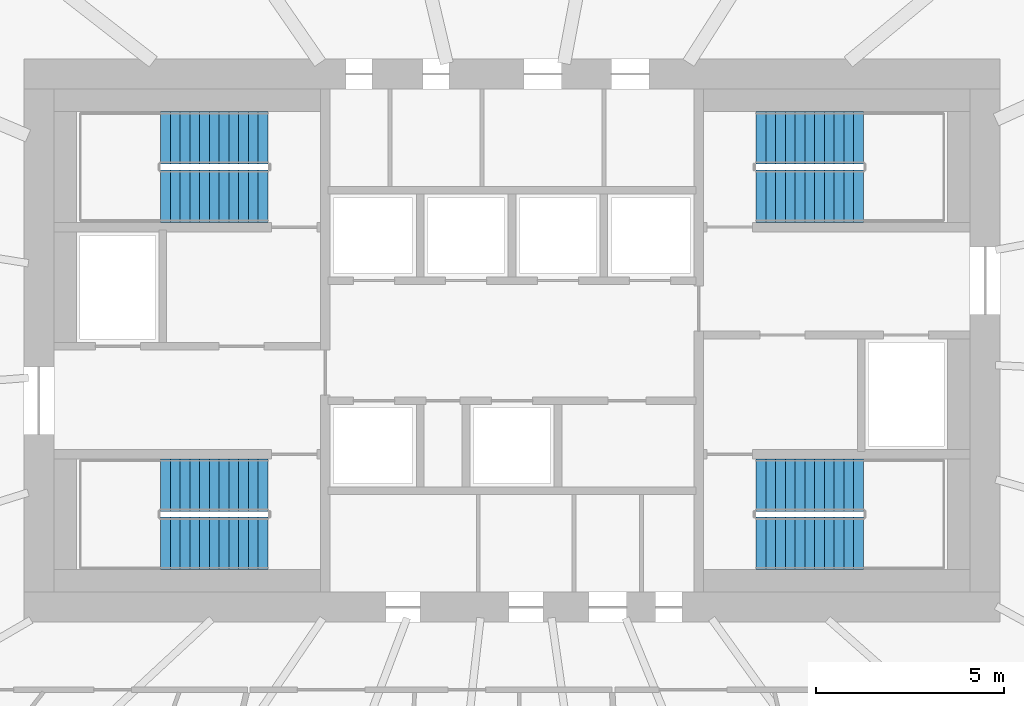
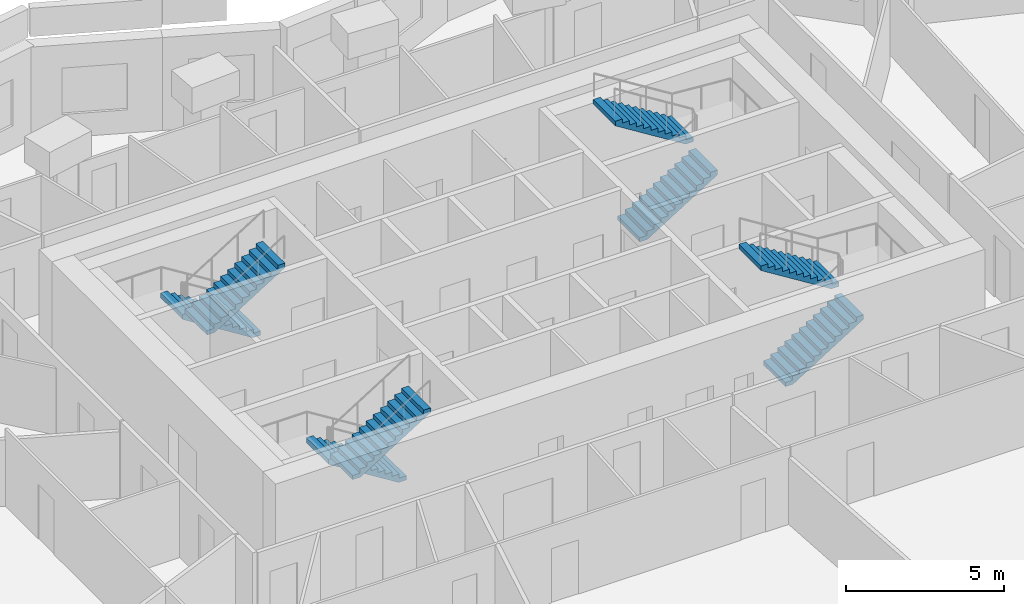
# One storey, part 10 of 11: 8 stair flights, 4 elements without a shape of their own.
"""IFC4 building model written with IfcOpenShell, lengths in metres."""

from ifc_helpers import new_model, si_unit, direction, frame, origin, place, context, subcontext, project, spatial, polyline, outline, extrude, material, type_object, element, aggregate, save


model = new_model("IFC4")

# Units and contexts
model_context = context("Model", 3, precision=1e-05, world=origin(), true_north=direction((0.0, 1.0)))
body_context = subcontext(model_context, "Body", "Model", "MODEL_VIEW")
ifc_project = project(units=[si_unit("LENGTHUNIT", "METRE"), si_unit("AREAUNIT", "SQUARE_METRE"), si_unit("VOLUMEUNIT", "CUBIC_METRE"), si_unit("PLANEANGLEUNIT", "RADIAN"), si_unit("MASSUNIT", "GRAM", prefix="KILO")], contexts=[model_context])

# Site, building, storey
site_placement = place(None, origin())
site = spatial("IfcSite", under=ifc_project, at=site_placement, CompositionType="ELEMENT")
building_placement = place(site_placement, origin())
building = spatial("IfcBuilding", under=site, at=building_placement, Name="Rubra Terraces Tower", CompositionType="ELEMENT")
storey_placement = place(building_placement, frame((0.0, 0.0, 260.39990234375)))
storey = spatial("IfcBuildingStorey", under=building, at=storey_placement, Name="L64", CompositionType="ELEMENT", Elevation=260.39990234375)

# Stair, stair flights
ifc_material = material(Name="Concrete C40", Category="concrete")
stair_type = type_object("IfcStairType", Name="Core stair 1400", PredefinedType="HALF_TURN_STAIR", material=ifc_material)
stair_1_placement = place(storey_placement, origin())
stair_1 = element("IfcStair", 1, at=stair_1_placement, inside=storey, type_object=stair_type, Name="L64 Exit stair S1", PredefinedType="HALF_TURN_STAIR")
stair_flight_type = type_object("IfcStairFlightType", Name="Core stair flight 1400", PredefinedType="STRAIGHT", material=ifc_material)
stair_flight_1_placement = place(storey_placement, frame((-6.5, 0.64990234375, 0.0), z_axis=(0.0, 0.0, 1.0), x_axis=(-1.0, 0.0, 0.0)))
stair_flight_1 = element("IfcStairFlight", 2, at=stair_flight_1_placement, type_object=stair_flight_type, Name="S1 flight 1", NumberOfRisers=12, NumberOfTreads=11, PredefinedType="STRAIGHT", RiserHeight=0.1625, TreadLength=0.26, context=body_context, shape_type="SweptSolid", body=[
    extrude(outline(polyline([(0.0, 0.0), (0.0, 0.16259765625), (0.260009765625, 0.16259765625), (0.260009765625, 0.324951171875), (0.52001953125, 0.324951171875), (0.52001953125, 0.487548828125), (0.780029296875, 0.487548828125), (0.780029296875, 0.64990234375), (1.0400390625, 0.64990234375), (1.0400390625, 0.8125), (1.300048828125, 0.8125), (1.300048828125, 0.97509765625), (1.56005859375, 0.97509765625), (1.56005859375, 1.137451171875), (1.820068359375, 1.137451171875), (1.820068359375, 1.300048828125), (2.080078125, 1.300048828125), (2.080078125, 1.46240234375), (2.340087890625, 1.46240234375), (2.340087890625, 1.625), (2.60009765625, 1.625), (2.60009765625, 1.78759765625), (2.860107421875, 1.78759765625), (2.860107421875, 1.949951171875), (2.860107421875, 1.61083984375), (0.28271484375, 0.0), (0.0, 0.0)])), frame((0.0, 0.699951171875, 0.0), z_axis=(0.0, -1.0, 0.0), x_axis=(1.0, 0.0, 0.0)), (0.0, 0.0, 1.0), 1.39990234375),
])
stair_flight_2_placement = place(storey_placement, frame((-9.360107421875, -0.89990234375, 1.9501953125), z_axis=(0.0, 0.0, 1.0), x_axis=(1.0, 0.0, 0.0)))
stair_flight_2 = element("IfcStairFlight", 3, at=stair_flight_2_placement, type_object=stair_flight_type, Name="S1 flight 2", NumberOfRisers=12, NumberOfTreads=11, PredefinedType="STRAIGHT", RiserHeight=0.1625, TreadLength=0.26, context=body_context, shape_type="SweptSolid", body=[
    extrude(outline(polyline([(0.0, 0.0), (0.0, 0.16259765625), (0.260009765625, 0.16259765625), (0.260009765625, 0.324951171875), (0.52001953125, 0.324951171875), (0.52001953125, 0.487548828125), (0.780029296875, 0.487548828125), (0.780029296875, 0.64990234375), (1.0400390625, 0.64990234375), (1.0400390625, 0.8125), (1.300048828125, 0.8125), (1.300048828125, 0.97509765625), (1.56005859375, 0.97509765625), (1.56005859375, 1.137451171875), (1.820068359375, 1.137451171875), (1.820068359375, 1.300048828125), (2.080078125, 1.300048828125), (2.080078125, 1.46240234375), (2.340087890625, 1.46240234375), (2.340087890625, 1.625), (2.60009765625, 1.625), (2.60009765625, 1.78759765625), (2.860107421875, 1.78759765625), (2.860107421875, 1.949951171875), (2.860107421875, 1.61083984375), (0.28271484375, 0.0), (0.0, 0.0)])), frame((0.0, 0.699951171875, 0.0), z_axis=(0.0, -1.0, 0.0), x_axis=(1.0, 0.0, 0.0)), (0.0, 0.0, 1.0), 1.39990234375),
])
aggregate(stair_1, [stair_flight_1, stair_flight_2])

stair_2_placement = place(storey_placement, origin())
stair_2 = element("IfcStair", 4, at=stair_2_placement, inside=storey, type_object=stair_type, Name="L64 Exit stair S2", PredefinedType="HALF_TURN_STAIR")
stair_flight_3_placement = place(storey_placement, frame((-6.5, 9.89990234375, 0.0), z_axis=(0.0, 0.0, 1.0), x_axis=(-1.0, 0.0, 0.0)))
stair_flight_3 = element("IfcStairFlight", 5, at=stair_flight_3_placement, type_object=stair_flight_type, Name="S2 flight 1", NumberOfRisers=12, NumberOfTreads=11, PredefinedType="STRAIGHT", RiserHeight=0.1625, TreadLength=0.26, context=body_context, shape_type="SweptSolid", body=[
    extrude(outline(polyline([(0.0, 0.0), (0.0, 0.16259765625), (0.260009765625, 0.16259765625), (0.260009765625, 0.324951171875), (0.52001953125, 0.324951171875), (0.52001953125, 0.487548828125), (0.780029296875, 0.487548828125), (0.780029296875, 0.64990234375), (1.0400390625, 0.64990234375), (1.0400390625, 0.8125), (1.300048828125, 0.8125), (1.300048828125, 0.97509765625), (1.56005859375, 0.97509765625), (1.56005859375, 1.137451171875), (1.820068359375, 1.137451171875), (1.820068359375, 1.300048828125), (2.080078125, 1.300048828125), (2.080078125, 1.46240234375), (2.340087890625, 1.46240234375), (2.340087890625, 1.625), (2.60009765625, 1.625), (2.60009765625, 1.78759765625), (2.860107421875, 1.78759765625), (2.860107421875, 1.949951171875), (2.860107421875, 1.61083984375), (0.28271484375, 0.0), (0.0, 0.0)])), frame((0.0, 0.699951171875, 0.0), z_axis=(0.0, -1.0, 0.0), x_axis=(1.0, 0.0, 0.0)), (0.0, 0.0, 1.0), 1.39990234375),
])
stair_flight_4_placement = place(storey_placement, frame((-9.360107421875, 8.35009765625, 1.9501953125), z_axis=(0.0, 0.0, 1.0), x_axis=(1.0, 0.0, 0.0)))
stair_flight_4 = element("IfcStairFlight", 6, at=stair_flight_4_placement, type_object=stair_flight_type, Name="S2 flight 2", NumberOfRisers=12, NumberOfTreads=11, PredefinedType="STRAIGHT", RiserHeight=0.1625, TreadLength=0.26, context=body_context, shape_type="SweptSolid", body=[
    extrude(outline(polyline([(0.0, 0.0), (0.0, 0.16259765625), (0.260009765625, 0.16259765625), (0.260009765625, 0.324951171875), (0.52001953125, 0.324951171875), (0.52001953125, 0.487548828125), (0.780029296875, 0.487548828125), (0.780029296875, 0.64990234375), (1.0400390625, 0.64990234375), (1.0400390625, 0.8125), (1.300048828125, 0.8125), (1.300048828125, 0.97509765625), (1.56005859375, 0.97509765625), (1.56005859375, 1.137451171875), (1.820068359375, 1.137451171875), (1.820068359375, 1.300048828125), (2.080078125, 1.300048828125), (2.080078125, 1.46240234375), (2.340087890625, 1.46240234375), (2.340087890625, 1.625), (2.60009765625, 1.625), (2.60009765625, 1.78759765625), (2.860107421875, 1.78759765625), (2.860107421875, 1.949951171875), (2.860107421875, 1.61083984375), (0.28271484375, 0.0), (0.0, 0.0)])), frame((0.0, 0.699951171875, 0.0), z_axis=(0.0, -1.0, 0.0), x_axis=(1.0, 0.0, 0.0)), (0.0, 0.0, 1.0), 1.39990234375),
])
aggregate(stair_2, [stair_flight_3, stair_flight_4])

stair_3_placement = place(storey_placement, origin())
stair_3 = element("IfcStair", 7, at=stair_3_placement, inside=storey, type_object=stair_type, Name="L64 Exit stair S3", PredefinedType="HALF_TURN_STAIR")
stair_flight_5_placement = place(storey_placement, frame((6.5, 8.35009765625, 0.0), z_axis=(0.0, 0.0, 1.0), x_axis=(1.0, 0.0, 0.0)))
stair_flight_5 = element("IfcStairFlight", 8, at=stair_flight_5_placement, type_object=stair_flight_type, Name="S3 flight 1", NumberOfRisers=12, NumberOfTreads=11, PredefinedType="STRAIGHT", RiserHeight=0.1625, TreadLength=0.26, context=body_context, shape_type="SweptSolid", body=[
    extrude(outline(polyline([(0.0, 0.0), (0.0, 0.16259765625), (0.260009765625, 0.16259765625), (0.260009765625, 0.324951171875), (0.52001953125, 0.324951171875), (0.52001953125, 0.487548828125), (0.780029296875, 0.487548828125), (0.780029296875, 0.64990234375), (1.0400390625, 0.64990234375), (1.0400390625, 0.8125), (1.300048828125, 0.8125), (1.300048828125, 0.97509765625), (1.56005859375, 0.97509765625), (1.56005859375, 1.137451171875), (1.820068359375, 1.137451171875), (1.820068359375, 1.300048828125), (2.080078125, 1.300048828125), (2.080078125, 1.46240234375), (2.340087890625, 1.46240234375), (2.340087890625, 1.625), (2.60009765625, 1.625), (2.60009765625, 1.78759765625), (2.860107421875, 1.78759765625), (2.860107421875, 1.949951171875), (2.860107421875, 1.61083984375), (0.28271484375, 0.0), (0.0, 0.0)])), frame((0.0, 0.699951171875, 0.0), z_axis=(0.0, -1.0, 0.0), x_axis=(1.0, 0.0, 0.0)), (0.0, 0.0, 1.0), 1.39990234375),
])
stair_flight_6_placement = place(storey_placement, frame((9.360107421875, 9.89990234375, 1.9501953125), z_axis=(0.0, 0.0, 1.0), x_axis=(-1.0, 0.0, 0.0)))
stair_flight_6 = element("IfcStairFlight", 9, at=stair_flight_6_placement, type_object=stair_flight_type, Name="S3 flight 2", NumberOfRisers=12, NumberOfTreads=11, PredefinedType="STRAIGHT", RiserHeight=0.1625, TreadLength=0.26, context=body_context, shape_type="SweptSolid", body=[
    extrude(outline(polyline([(0.0, 0.0), (0.0, 0.16259765625), (0.260009765625, 0.16259765625), (0.260009765625, 0.324951171875), (0.52001953125, 0.324951171875), (0.52001953125, 0.487548828125), (0.780029296875, 0.487548828125), (0.780029296875, 0.64990234375), (1.0400390625, 0.64990234375), (1.0400390625, 0.8125), (1.300048828125, 0.8125), (1.300048828125, 0.97509765625), (1.56005859375, 0.97509765625), (1.56005859375, 1.137451171875), (1.820068359375, 1.137451171875), (1.820068359375, 1.300048828125), (2.080078125, 1.300048828125), (2.080078125, 1.46240234375), (2.340087890625, 1.46240234375), (2.340087890625, 1.625), (2.60009765625, 1.625), (2.60009765625, 1.78759765625), (2.860107421875, 1.78759765625), (2.860107421875, 1.949951171875), (2.860107421875, 1.61083984375), (0.28271484375, 0.0), (0.0, 0.0)])), frame((0.0, 0.699951171875, 0.0), z_axis=(0.0, -1.0, 0.0), x_axis=(1.0, 0.0, 0.0)), (0.0, 0.0, 1.0), 1.39990234375),
])
aggregate(stair_3, [stair_flight_5, stair_flight_6])

stair_4_placement = place(storey_placement, origin())
stair_4 = element("IfcStair", 10, at=stair_4_placement, inside=storey, type_object=stair_type, Name="L64 Exit stair S4", PredefinedType="HALF_TURN_STAIR")
stair_flight_7_placement = place(storey_placement, frame((6.5, -0.89990234375, 0.0), z_axis=(0.0, 0.0, 1.0), x_axis=(1.0, 0.0, 0.0)))
stair_flight_7 = element("IfcStairFlight", 11, at=stair_flight_7_placement, type_object=stair_flight_type, Name="S4 flight 1", NumberOfRisers=12, NumberOfTreads=11, PredefinedType="STRAIGHT", RiserHeight=0.1625, TreadLength=0.26, context=body_context, shape_type="SweptSolid", body=[
    extrude(outline(polyline([(0.0, 0.0), (0.0, 0.16259765625), (0.260009765625, 0.16259765625), (0.260009765625, 0.324951171875), (0.52001953125, 0.324951171875), (0.52001953125, 0.487548828125), (0.780029296875, 0.487548828125), (0.780029296875, 0.64990234375), (1.0400390625, 0.64990234375), (1.0400390625, 0.8125), (1.300048828125, 0.8125), (1.300048828125, 0.97509765625), (1.56005859375, 0.97509765625), (1.56005859375, 1.137451171875), (1.820068359375, 1.137451171875), (1.820068359375, 1.300048828125), (2.080078125, 1.300048828125), (2.080078125, 1.46240234375), (2.340087890625, 1.46240234375), (2.340087890625, 1.625), (2.60009765625, 1.625), (2.60009765625, 1.78759765625), (2.860107421875, 1.78759765625), (2.860107421875, 1.949951171875), (2.860107421875, 1.61083984375), (0.28271484375, 0.0), (0.0, 0.0)])), frame((0.0, 0.699951171875, 0.0), z_axis=(0.0, -1.0, 0.0), x_axis=(1.0, 0.0, 0.0)), (0.0, 0.0, 1.0), 1.39990234375),
])
stair_flight_8_placement = place(storey_placement, frame((9.360107421875, 0.64990234375, 1.9501953125), z_axis=(0.0, 0.0, 1.0), x_axis=(-1.0, 0.0, 0.0)))
stair_flight_8 = element("IfcStairFlight", 12, at=stair_flight_8_placement, type_object=stair_flight_type, Name="S4 flight 2", NumberOfRisers=12, NumberOfTreads=11, PredefinedType="STRAIGHT", RiserHeight=0.1625, TreadLength=0.26, context=body_context, shape_type="SweptSolid", body=[
    extrude(outline(polyline([(0.0, 0.0), (0.0, 0.16259765625), (0.260009765625, 0.16259765625), (0.260009765625, 0.324951171875), (0.52001953125, 0.324951171875), (0.52001953125, 0.487548828125), (0.780029296875, 0.487548828125), (0.780029296875, 0.64990234375), (1.0400390625, 0.64990234375), (1.0400390625, 0.8125), (1.300048828125, 0.8125), (1.300048828125, 0.97509765625), (1.56005859375, 0.97509765625), (1.56005859375, 1.137451171875), (1.820068359375, 1.137451171875), (1.820068359375, 1.300048828125), (2.080078125, 1.300048828125), (2.080078125, 1.46240234375), (2.340087890625, 1.46240234375), (2.340087890625, 1.625), (2.60009765625, 1.625), (2.60009765625, 1.78759765625), (2.860107421875, 1.78759765625), (2.860107421875, 1.949951171875), (2.860107421875, 1.61083984375), (0.28271484375, 0.0), (0.0, 0.0)])), frame((0.0, 0.699951171875, 0.0), z_axis=(0.0, -1.0, 0.0), x_axis=(1.0, 0.0, 0.0)), (0.0, 0.0, 1.0), 1.39990234375),
])
aggregate(stair_4, [stair_flight_7, stair_flight_8])

save(model, "model.ifc")
